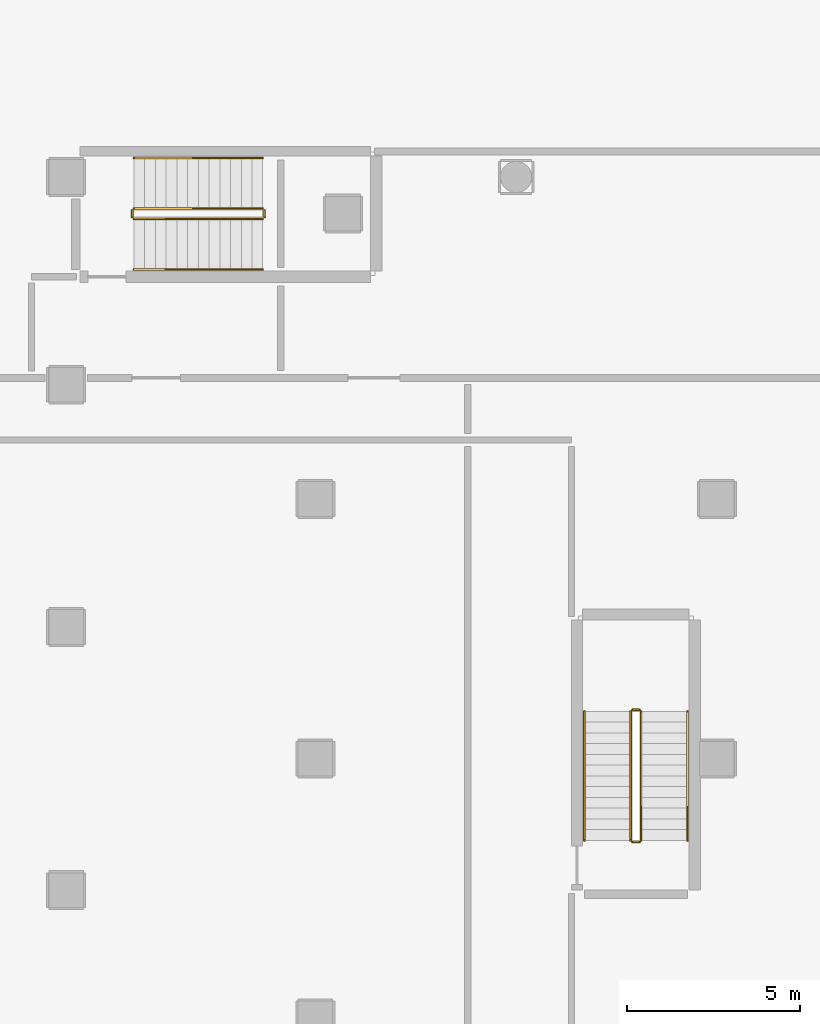
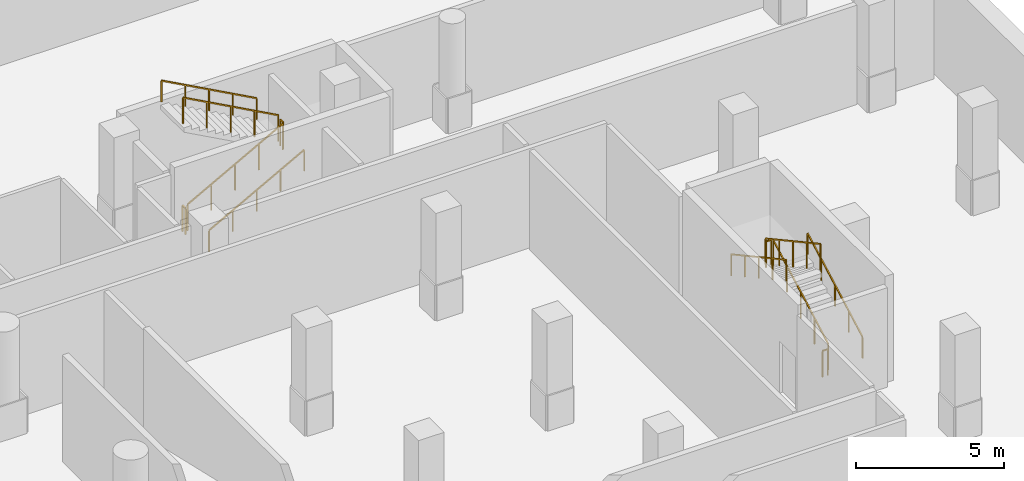
# One storey, part 14 of 15: 12 railings.
"""IFC4 building model written with IfcOpenShell, lengths in metres."""

import ifcopenshell
import ifcopenshell.guid

model = None  # the IFC model being written
_history = None  # IfcOwnerHistory: only IFC2X3 demands one
_inside = {}  # id of a spatial element -> (the spatial element, [elements in it])
_under = {}  # id of a project, library or spatial element -> (it, [spatial elements below it])
_declared = {}  # id of a project -> (the project, [libraries it declares])
_typed = {}  # id of a type object -> (the type object, [elements of that type])
_made_of = {}  # id of a material, layer set ... -> (it, [elements and type objects made of it])


def new_model(schema):
    """Start an empty IFC model of exactly this schema.

    Asked for "IFC4X3", IfcOpenShell would pick the latest addendum, in which some entities
    have other attributes; the version numbers below select the first issue.
    IFC2X3 requires an IfcOwnerHistory on every rooted entity: one is made here for all.
    """
    global model, _history
    if schema == "IFC4X3":
        model = ifcopenshell.file(schema_version=(4, 3, 0, 0))
    else:
        model = ifcopenshell.file(schema=schema)
    _inside.clear()
    _under.clear()
    _declared.clear()
    _typed.clear()
    _made_of.clear()
    _history = None
    if model.schema == "IFC2X3":
        org = make("IfcOrganization", Name="unknown")
        user = make(
            "IfcPersonAndOrganization",
            ThePerson=make("IfcPerson", FamilyName="unknown"),
            TheOrganization=org,
        )
        app = make(
            "IfcApplication",
            ApplicationDeveloper=org,
            Version="unknown",
            ApplicationFullName="unknown",
            ApplicationIdentifier="unknown",
        )
        _history = make(
            "IfcOwnerHistory",
            OwningUser=user,
            OwningApplication=app,
            ChangeAction="ADDED",
            CreationDate=0,
        )
    return model


def make(cls, **values):
    """One entity of the class cls with the attributes given. An attribute that is None is left unset."""
    return model.create_entity(
        cls, **{name: value for name, value in values.items() if value is not None}
    )


def rooted(cls, **values):
    """An entity with a GlobalId (a new one), such as an element, a storey or a relation."""
    return make(cls, GlobalId=ifcopenshell.guid.new(), OwnerHistory=_history, **values)


def si_unit(unit_type, name, prefix=None):
    """IfcSIUnit, for example si_unit("LENGTHUNIT", "METRE", prefix="MILLI")."""
    return make("IfcSIUnit", UnitType=unit_type, Prefix=prefix, Name=name)


def assignment(units):
    """IfcUnitAssignment: the units of a project."""
    return None if units is None else make("IfcUnitAssignment", Units=units)


def point(xyz):
    """IfcCartesianPoint."""
    return None if xyz is None else make("IfcCartesianPoint", Coordinates=xyz)


def direction(xyz):
    """IfcDirection."""
    return None if xyz is None else make("IfcDirection", DirectionRatios=xyz)


def frame(location, z_axis=None, x_axis=None):
    """IfcAxis2Placement3D, a coordinate frame: its origin and axes. An axis left out is left unset."""
    return make(
        "IfcAxis2Placement3D",
        Location=point(location),
        Axis=direction(z_axis),
        RefDirection=direction(x_axis),
    )


def frame_2d(location, x_axis=None):
    """IfcAxis2Placement2D, a coordinate frame in the plane: its origin and x axis."""
    return make(
        "IfcAxis2Placement2D", Location=point(location), RefDirection=direction(x_axis)
    )


def origin():
    """The frame at (0, 0, 0) with its axes left unset."""
    return frame((0.0, 0.0, 0.0))


def origin_2d():
    """The frame at (0, 0) in the plane with its x axis left unset."""
    return frame_2d((0.0, 0.0))


def place(relative_to, where):
    """IfcLocalPlacement: puts the frame where relative to a parent placement (None: the world)."""
    return make(
        "IfcLocalPlacement", PlacementRelTo=relative_to, RelativePlacement=where
    )


def context(
    kind, dimensions, precision=None, world=None, true_north=None, identifier=None
):
    """IfcGeometricRepresentationContext, for example the 3D "Model" context."""
    return make(
        "IfcGeometricRepresentationContext",
        ContextIdentifier=identifier,
        ContextType=kind,
        CoordinateSpaceDimension=dimensions,
        Precision=precision,
        WorldCoordinateSystem=world,
        TrueNorth=true_north,
    )


def subcontext(parent, identifier, kind, view, scale=None):
    """IfcGeometricRepresentationSubContext, for example "Body" below "Model"."""
    return make(
        "IfcGeometricRepresentationSubContext",
        ContextIdentifier=identifier,
        ContextType=kind,
        ParentContext=parent,
        TargetScale=scale,
        TargetView=view,
    )


def project(units=None, contexts=None):
    """IfcProject with its units and contexts."""
    return rooted(
        "IfcProject",
        Name="project",
        RepresentationContexts=contexts,
        UnitsInContext=assignment(units),
    )


def spatial(cls, under=None, at=None, **own):
    """A site, building, storey or space (cls), placed at a placement, below another one or the project."""
    s = rooted(cls, ObjectPlacement=at, **own)
    if under is not None:
        _under.setdefault(under.id(), (under, []))[1].append(s)
    return s


def profile(cls, at=None, kind="AREA", **sizes):
    """A parametric profile (cls). Its sizes go by their IFC names, for example OverallWidth=200.0."""
    return make(cls, ProfileType=kind, Position=at, **sizes)


def rectangle(**sizes):
    """IfcRectangleProfileDef."""
    return profile("IfcRectangleProfileDef", **sizes)


def extrude(swept, where, along, depth):
    """IfcExtrudedAreaSolid: the profile swept, set in the frame where, extruded along a direction by depth."""
    return make(
        "IfcExtrudedAreaSolid",
        SweptArea=swept,
        Position=where,
        ExtrudedDirection=direction(along),
        Depth=depth,
    )


def shape(context_of_items, identifier, shape_type, items):
    """IfcShapeRepresentation: the items that make up one representation, for example the "Body"."""
    return make(
        "IfcShapeRepresentation",
        ContextOfItems=context_of_items,
        RepresentationIdentifier=identifier,
        RepresentationType=shape_type,
        Items=items,
    )


def material(Name=None, Category=None):
    """IfcMaterial."""
    return make("IfcMaterial", Name=Name, Category=Category)


def made_of(thing, what):
    """Note that an element or type object is made of a material, layer set ...; save() writes the relation."""
    if what is not None:
        _made_of.setdefault(what.id(), (what, []))[1].append(thing)
    return thing


def type_object(cls, material=None, **own):
    """A type object (cls), such as IfcWallType, which elements share."""
    return made_of(rooted(cls, **own), material)


def element(
    cls,
    number,
    at=None,
    inside=None,
    cuts=None,
    type_object=None,
    material=None,
    context=None,
    identifier="Body",
    shape_type=None,
    held_by="IfcProductDefinitionShape",
    body=None,
    shapes=None,
    **own,
):
    """One element of the class cls, such as IfcWall. Its Tag is "e" and its number.

    at: its placement. inside: the storey or other place that contains it. cuts: it is an
    opening in that element (IfcRelVoidsElement). A single representation is given by context,
    identifier, shape_type and body (its items); several are given by shapes. held_by: the class
    of the entity that holds the representations. save() writes the other relations.
    """
    e = rooted(cls, Tag="e%d" % number, ObjectPlacement=at, **own)
    if body is not None:
        shapes = [shape(context, identifier, shape_type, body)]
    if shapes is not None:
        e.Representation = make(held_by, Representations=shapes)
    if inside is not None:
        _inside.setdefault(inside.id(), (inside, []))[1].append(e)
    if cuts is not None:
        rooted(
            "IfcRelVoidsElement", RelatingBuildingElement=cuts, RelatedOpeningElement=e
        )
    if type_object is not None:
        _typed.setdefault(type_object.id(), (type_object, []))[1].append(e)
    return made_of(e, material)


def aggregate(whole, parts):
    """IfcRelAggregates: a whole, such as a stair, and the parts it consists of."""
    return rooted("IfcRelAggregates", RelatingObject=whole, RelatedObjects=parts)


def save(model, path):
    """Write the relations noted so far, then the file.

    IfcRelAggregates (storeys below a building ...), IfcRelContainedInSpatialStructure (elements
    in a storey), IfcRelDefinesByType, IfcRelAssociatesMaterial and IfcRelDeclares: one each for
    every whole, place, type object, material and project.
    """
    for whole, parts in _under.values():
        aggregate(whole, parts)
    for where, things in _inside.values():
        rooted(
            "IfcRelContainedInSpatialStructure",
            RelatedElements=things,
            RelatingStructure=where,
        )
    for kind, things in _typed.values():
        rooted("IfcRelDefinesByType", RelatedObjects=things, RelatingType=kind)
    for what, things in _made_of.values():
        rooted("IfcRelAssociatesMaterial", RelatedObjects=things, RelatingMaterial=what)
    for by, libraries in _declared.values():
        rooted("IfcRelDeclares", RelatingContext=by, RelatedDefinitions=libraries)
    model.write(path)


model = new_model("IFC4")

# Units and contexts
model_context = context("Model", 3, precision=1e-05, world=origin(), true_north=direction((0.0, 1.0)))
body_context = subcontext(model_context, "Body", "Model", "MODEL_VIEW")
ifc_project = project(units=[si_unit("LENGTHUNIT", "METRE"), si_unit("AREAUNIT", "SQUARE_METRE"), si_unit("VOLUMEUNIT", "CUBIC_METRE"), si_unit("PLANEANGLEUNIT", "RADIAN"), si_unit("MASSUNIT", "GRAM", prefix="KILO")], contexts=[model_context])

# Site, building, storey
site_placement = place(None, origin())
site = spatial("IfcSite", under=ifc_project, at=site_placement, CompositionType="ELEMENT")
building_placement = place(site_placement, origin())
building = spatial("IfcBuilding", under=site, at=building_placement, Name="Solanera Arch Residences", CompositionType="ELEMENT")
storey_placement = place(building_placement, frame((0.0, 0.0, -8.800048828125)))
storey = spatial("IfcBuildingStorey", under=building, at=storey_placement, Name="B02", CompositionType="ELEMENT", Elevation=-8.800048828125)

# Railings
ifc_material_1 = material(Name="Steel S355 (ASTM A992 / A572 Grade 50)", Category="steel")
railing_type_1 = type_object("IfcRailingType", Name="Stair Guardrail GR-1100", PredefinedType="GUARDRAIL", material=ifc_material_1)
railing_1_placement = place(storey_placement, frame((57.760009765625, 46.18994140625, 0.154296875)))
element("IfcRailing", 1, at=railing_1_placement, inside=storey, type_object=railing_type_1, Name="B02 ST-H2 stair guard 1", PredefinedType="GUARDRAIL", context=body_context, shape_type="SweptSolid", body=[
    extrude(rectangle(XDim=0.048095703125, YDim=0.048095703125, at=origin_2d()), frame((0.0, 0.0, 1.076171875), z_axis=(0.877728207833, 0.0, 0.479158839191), x_axis=(0.0, 1.0, 0.0)), (0.0, 0.0, 1.0), 4.23828125),
    extrude(rectangle(XDim=0.0419921875, YDim=0.0419921875, at=origin_2d()), origin(), (0.0, 0.0, 1.0), 1.052001953125),
    extrude(rectangle(XDim=0.0419921875, YDim=0.0419921875, at=origin_2d()), frame((0.929931640625, 0.0, 0.5078125)), (0.0, 0.0, 1.0), 1.052001953125),
    extrude(rectangle(XDim=0.0419921875, YDim=0.0419921875, at=origin_2d()), frame((1.85986328125, 0.0, 1.015380859375)), (0.0, 0.0, 1.0), 1.052001953125),
    extrude(rectangle(XDim=0.0419921875, YDim=0.0419921875, at=origin_2d()), frame((2.7900390625, 0.0, 1.52294921875)), (0.0, 0.0, 1.0), 1.052001953125),
    extrude(rectangle(XDim=0.0419921875, YDim=0.0419921875, at=origin_2d()), frame((3.719970703125, 0.0, 2.03076171875)), (0.0, 0.0, 1.0), 1.052001953125),
])
railing_2_placement = place(storey_placement, frame((61.530029296875, 46.239990234375, 2.18505859375)))
element("IfcRailing", 2, at=railing_2_placement, inside=storey, type_object=railing_type_1, Name="B02 ST-H2 stair guard 2", PredefinedType="GUARDRAIL", context=body_context, shape_type="SweptSolid", body=[
    extrude(rectangle(XDim=0.048095703125, YDim=0.048095703125, at=origin_2d()), frame((0.0, 0.0, 1.076171875), z_axis=(0.0, 1.0, 0.0), x_axis=(-1.0, 0.0, 0.0)), (0.0, 0.0, 1.0), 0.199951171875),
    extrude(rectangle(XDim=0.0419921875, YDim=0.0419921875, at=origin_2d()), origin(), (0.0, 0.0, 1.0), 1.052001953125),
    extrude(rectangle(XDim=0.0419921875, YDim=0.0419921875, at=origin_2d()), frame((0.0, 0.199951171875, 0.0)), (0.0, 0.0, 1.0), 1.052001953125),
])
railing_3_placement = place(storey_placement, frame((61.47998046875, 46.489990234375, 2.354248046875)))
element("IfcRailing", 3, at=railing_3_placement, inside=storey, type_object=railing_type_1, Name="B02 ST-H2 stair guard 3", PredefinedType="GUARDRAIL", context=body_context, shape_type="SweptSolid", body=[
    extrude(rectangle(XDim=0.048095703125, YDim=0.048095703125, at=origin_2d()), frame((0.0, 0.0, 1.076171875), z_axis=(-0.877728207833, 0.0, 0.479158839191), x_axis=(0.0, -1.0, 0.0)), (0.0, 0.0, 1.0), 4.23828125),
    extrude(rectangle(XDim=0.0419921875, YDim=0.0419921875, at=origin_2d()), origin(), (0.0, 0.0, 1.0), 1.052001953125),
    extrude(rectangle(XDim=0.0419921875, YDim=0.0419921875, at=origin_2d()), frame((-0.929931640625, 0.0, 0.5078125)), (0.0, 0.0, 1.0), 1.052001953125),
    extrude(rectangle(XDim=0.0419921875, YDim=0.0419921875, at=origin_2d()), frame((-1.85986328125, 0.0, 1.015380859375)), (0.0, 0.0, 1.0), 1.052001953125),
    extrude(rectangle(XDim=0.0419921875, YDim=0.0419921875, at=origin_2d()), frame((-2.7900390625, 0.0, 1.52294921875)), (0.0, 0.0, 1.0), 1.052001953125),
    extrude(rectangle(XDim=0.0419921875, YDim=0.0419921875, at=origin_2d()), frame((-3.719970703125, 0.0, 2.03076171875)), (0.0, 0.0, 1.0), 1.052001953125),
])
railing_4_placement = place(storey_placement, frame((57.7099609375, 46.239990234375, -0.014892578125)))
element("IfcRailing", 4, at=railing_4_placement, inside=storey, type_object=railing_type_1, Name="B02 ST-H2 stair guard 4", PredefinedType="GUARDRAIL", context=body_context, shape_type="SweptSolid", body=[
    extrude(rectangle(XDim=0.048095703125, YDim=0.048095703125, at=origin_2d()), frame((0.0, 0.0, 1.076171875), z_axis=(0.0, 1.0, 0.0), x_axis=(-1.0, 0.0, 0.0)), (0.0, 0.0, 1.0), 0.199951171875),
    extrude(rectangle(XDim=0.0419921875, YDim=0.0419921875, at=origin_2d()), origin(), (0.0, 0.0, 1.0), 1.052001953125),
    extrude(rectangle(XDim=0.0419921875, YDim=0.0419921875, at=origin_2d()), frame((0.0, 0.199951171875, 0.0)), (0.0, 0.0, 1.0), 1.052001953125),
])
railing_5_placement = place(storey_placement, frame((72.409912109375, 28.239990234375, 0.154296875)))
element("IfcRailing", 5, at=railing_5_placement, inside=storey, type_object=railing_type_1, Name="B02 ST-B1 stair guard 1", PredefinedType="GUARDRAIL", context=body_context, shape_type="SweptSolid", body=[
    extrude(rectangle(XDim=0.048095703125, YDim=0.048095703125, at=origin_2d()), frame((0.0, 0.0, 1.076171875), z_axis=(0.0, 0.877728207833, 0.479158839191), x_axis=(-1.0, 0.0, 0.0)), (0.0, 0.0, 1.0), 4.23828125),
    extrude(rectangle(XDim=0.0419921875, YDim=0.0419921875, at=origin_2d()), origin(), (0.0, 0.0, 1.0), 1.052001953125),
    extrude(rectangle(XDim=0.0419921875, YDim=0.0419921875, at=origin_2d()), frame((0.0, 0.929931640625, 0.5078125)), (0.0, 0.0, 1.0), 1.052001953125),
    extrude(rectangle(XDim=0.0419921875, YDim=0.0419921875, at=origin_2d()), frame((0.0, 1.85986328125, 1.015380859375)), (0.0, 0.0, 1.0), 1.052001953125),
    extrude(rectangle(XDim=0.0419921875, YDim=0.0419921875, at=origin_2d()), frame((0.0, 2.7900390625, 1.52294921875)), (0.0, 0.0, 1.0), 1.052001953125),
    extrude(rectangle(XDim=0.0419921875, YDim=0.0419921875, at=origin_2d()), frame((0.0, 3.719970703125, 2.03076171875)), (0.0, 0.0, 1.0), 1.052001953125),
])
railing_6_placement = place(storey_placement, frame((72.360107421875, 32.010009765625, 2.18505859375)))
element("IfcRailing", 6, at=railing_6_placement, inside=storey, type_object=railing_type_1, Name="B02 ST-B1 stair guard 2", PredefinedType="GUARDRAIL", context=body_context, shape_type="SweptSolid", body=[
    extrude(rectangle(XDim=0.048095703125, YDim=0.048095703125, at=origin_2d()), frame((0.0, 0.0, 1.076171875), z_axis=(-1.0, 0.0, 0.0), x_axis=(0.0, -1.0, 0.0)), (0.0, 0.0, 1.0), 0.2001953125),
    extrude(rectangle(XDim=0.0419921875, YDim=0.0419921875, at=origin_2d()), origin(), (0.0, 0.0, 1.0), 1.052001953125),
    extrude(rectangle(XDim=0.0419921875, YDim=0.0419921875, at=origin_2d()), frame((-0.2001953125, 0.0, 0.0)), (0.0, 0.0, 1.0), 1.052001953125),
])
railing_7_placement = place(storey_placement, frame((72.110107421875, 31.9599609375, 2.354248046875)))
element("IfcRailing", 7, at=railing_7_placement, inside=storey, type_object=railing_type_1, Name="B02 ST-B1 stair guard 3", PredefinedType="GUARDRAIL", context=body_context, shape_type="SweptSolid", body=[
    extrude(rectangle(XDim=0.048095703125, YDim=0.048095703125, at=origin_2d()), frame((0.0, 0.0, 1.076171875), z_axis=(0.0, -0.877728207833, 0.479158839191), x_axis=(1.0, 0.0, 0.0)), (0.0, 0.0, 1.0), 4.23828125),
    extrude(rectangle(XDim=0.0419921875, YDim=0.0419921875, at=origin_2d()), origin(), (0.0, 0.0, 1.0), 1.052001953125),
    extrude(rectangle(XDim=0.0419921875, YDim=0.0419921875, at=origin_2d()), frame((0.0, -0.929931640625, 0.5078125)), (0.0, 0.0, 1.0), 1.052001953125),
    extrude(rectangle(XDim=0.0419921875, YDim=0.0419921875, at=origin_2d()), frame((0.0, -1.85986328125, 1.015380859375)), (0.0, 0.0, 1.0), 1.052001953125),
    extrude(rectangle(XDim=0.0419921875, YDim=0.0419921875, at=origin_2d()), frame((0.0, -2.7900390625, 1.52294921875)), (0.0, 0.0, 1.0), 1.052001953125),
    extrude(rectangle(XDim=0.0419921875, YDim=0.0419921875, at=origin_2d()), frame((0.0, -3.719970703125, 2.03076171875)), (0.0, 0.0, 1.0), 1.052001953125),
])
railing_8_placement = place(storey_placement, frame((72.360107421875, 28.18994140625, -0.014892578125)))
element("IfcRailing", 8, at=railing_8_placement, inside=storey, type_object=railing_type_1, Name="B02 ST-B1 stair guard 4", PredefinedType="GUARDRAIL", context=body_context, shape_type="SweptSolid", body=[
    extrude(rectangle(XDim=0.048095703125, YDim=0.048095703125, at=origin_2d()), frame((0.0, 0.0, 1.076171875), z_axis=(-1.0, 0.0, 0.0), x_axis=(0.0, -1.0, 0.0)), (0.0, 0.0, 1.0), 0.2001953125),
    extrude(rectangle(XDim=0.0419921875, YDim=0.0419921875, at=origin_2d()), origin(), (0.0, 0.0, 1.0), 1.052001953125),
    extrude(rectangle(XDim=0.0419921875, YDim=0.0419921875, at=origin_2d()), frame((-0.2001953125, 0.0, 0.0)), (0.0, 0.0, 1.0), 1.052001953125),
])
ifc_material_2 = material(Name="Steel S355 (ASTM A992 / A572 Grade 50)", Category="steel")
railing_type_2 = type_object("IfcRailingType", Name="Stair Wall Handrail HR-920", PredefinedType="HANDRAIL", material=ifc_material_2)
railing_9_placement = place(storey_placement, frame((57.760009765625, 44.72998046875, 0.169189453125)))
element("IfcRailing", 9, at=railing_9_placement, inside=storey, type_object=railing_type_2, Name="B02 ST-H2 stair handrail 1", PredefinedType="HANDRAIL", context=body_context, shape_type="SweptSolid", body=[
    extrude(rectangle(XDim=0.048095703125, YDim=0.048095703125, at=origin_2d()), frame((0.0, 0.0, 0.8759765625), z_axis=(0.877728207833, 0.0, 0.479158839191), x_axis=(0.0, 1.0, 0.0)), (0.0, 0.0, 1.0), 4.23828125),
    extrude(rectangle(XDim=0.0419921875, YDim=0.0419921875, at=origin_2d()), origin(), (0.0, 0.0, 1.0), 0.851806640625),
    extrude(rectangle(XDim=0.0419921875, YDim=0.0419921875, at=origin_2d()), frame((0.929931640625, 0.0, 0.5078125)), (0.0, 0.0, 1.0), 0.851806640625),
    extrude(rectangle(XDim=0.0419921875, YDim=0.0419921875, at=origin_2d()), frame((1.85986328125, 0.0, 1.015380859375)), (0.0, 0.0, 1.0), 0.851806640625),
    extrude(rectangle(XDim=0.0419921875, YDim=0.0419921875, at=origin_2d()), frame((2.7900390625, 0.0, 1.52294921875)), (0.0, 0.0, 1.0), 0.851806640625),
    extrude(rectangle(XDim=0.0419921875, YDim=0.0419921875, at=origin_2d()), frame((3.719970703125, 0.0, 2.03076171875)), (0.0, 0.0, 1.0), 0.851806640625),
])
railing_10_placement = place(storey_placement, frame((61.47998046875, 47.949951171875, 2.369384765625)))
element("IfcRailing", 10, at=railing_10_placement, inside=storey, type_object=railing_type_2, Name="B02 ST-H2 stair handrail 2", PredefinedType="HANDRAIL", context=body_context, shape_type="SweptSolid", body=[
    extrude(rectangle(XDim=0.048095703125, YDim=0.048095703125, at=origin_2d()), frame((0.0, 0.0, 0.8759765625), z_axis=(-0.877728207833, 0.0, 0.479158839191), x_axis=(0.0, -1.0, 0.0)), (0.0, 0.0, 1.0), 4.23828125),
    extrude(rectangle(XDim=0.0419921875, YDim=0.0419921875, at=origin_2d()), origin(), (0.0, 0.0, 1.0), 0.851806640625),
    extrude(rectangle(XDim=0.0419921875, YDim=0.0419921875, at=origin_2d()), frame((-0.929931640625, 0.0, 0.5078125)), (0.0, 0.0, 1.0), 0.851806640625),
    extrude(rectangle(XDim=0.0419921875, YDim=0.0419921875, at=origin_2d()), frame((-1.85986328125, 0.0, 1.015380859375)), (0.0, 0.0, 1.0), 0.851806640625),
    extrude(rectangle(XDim=0.0419921875, YDim=0.0419921875, at=origin_2d()), frame((-2.7900390625, 0.0, 1.52294921875)), (0.0, 0.0, 1.0), 0.851806640625),
    extrude(rectangle(XDim=0.0419921875, YDim=0.0419921875, at=origin_2d()), frame((-3.719970703125, 0.0, 2.03076171875)), (0.0, 0.0, 1.0), 0.851806640625),
])
railing_11_placement = place(storey_placement, frame((73.75, 28.239990234375, 0.169189453125)))
element("IfcRailing", 11, at=railing_11_placement, inside=storey, type_object=railing_type_2, Name="B02 ST-B1 stair handrail 1", PredefinedType="HANDRAIL", context=body_context, shape_type="SweptSolid", body=[
    extrude(rectangle(XDim=0.048095703125, YDim=0.048095703125, at=origin_2d()), frame((0.0, 0.0, 0.8759765625), z_axis=(0.0, 0.877728207833, 0.479158839191), x_axis=(-1.0, 0.0, 0.0)), (0.0, 0.0, 1.0), 4.23828125),
    extrude(rectangle(XDim=0.0419921875, YDim=0.0419921875, at=origin_2d()), origin(), (0.0, 0.0, 1.0), 0.851806640625),
    extrude(rectangle(XDim=0.0419921875, YDim=0.0419921875, at=origin_2d()), frame((0.0, 0.929931640625, 0.5078125)), (0.0, 0.0, 1.0), 0.851806640625),
    extrude(rectangle(XDim=0.0419921875, YDim=0.0419921875, at=origin_2d()), frame((0.0, 1.85986328125, 1.015380859375)), (0.0, 0.0, 1.0), 0.851806640625),
    extrude(rectangle(XDim=0.0419921875, YDim=0.0419921875, at=origin_2d()), frame((0.0, 2.7900390625, 1.52294921875)), (0.0, 0.0, 1.0), 0.851806640625),
    extrude(rectangle(XDim=0.0419921875, YDim=0.0419921875, at=origin_2d()), frame((0.0, 3.719970703125, 2.03076171875)), (0.0, 0.0, 1.0), 0.851806640625),
])
railing_12_placement = place(storey_placement, frame((70.77001953125, 31.9599609375, 2.369384765625)))
element("IfcRailing", 12, at=railing_12_placement, inside=storey, type_object=railing_type_2, Name="B02 ST-B1 stair handrail 2", PredefinedType="HANDRAIL", context=body_context, shape_type="SweptSolid", body=[
    extrude(rectangle(XDim=0.048095703125, YDim=0.048095703125, at=origin_2d()), frame((0.0, 0.0, 0.8759765625), z_axis=(0.0, -0.877728207833, 0.479158839191), x_axis=(1.0, 0.0, 0.0)), (0.0, 0.0, 1.0), 4.23828125),
    extrude(rectangle(XDim=0.0419921875, YDim=0.0419921875, at=origin_2d()), origin(), (0.0, 0.0, 1.0), 0.851806640625),
    extrude(rectangle(XDim=0.0419921875, YDim=0.0419921875, at=origin_2d()), frame((0.0, -0.929931640625, 0.5078125)), (0.0, 0.0, 1.0), 0.851806640625),
    extrude(rectangle(XDim=0.0419921875, YDim=0.0419921875, at=origin_2d()), frame((0.0, -1.85986328125, 1.015380859375)), (0.0, 0.0, 1.0), 0.851806640625),
    extrude(rectangle(XDim=0.0419921875, YDim=0.0419921875, at=origin_2d()), frame((0.0, -2.7900390625, 1.52294921875)), (0.0, 0.0, 1.0), 0.851806640625),
    extrude(rectangle(XDim=0.0419921875, YDim=0.0419921875, at=origin_2d()), frame((0.0, -3.719970703125, 2.03076171875)), (0.0, 0.0, 1.0), 0.851806640625),
])

save(model, "model.ifc")
